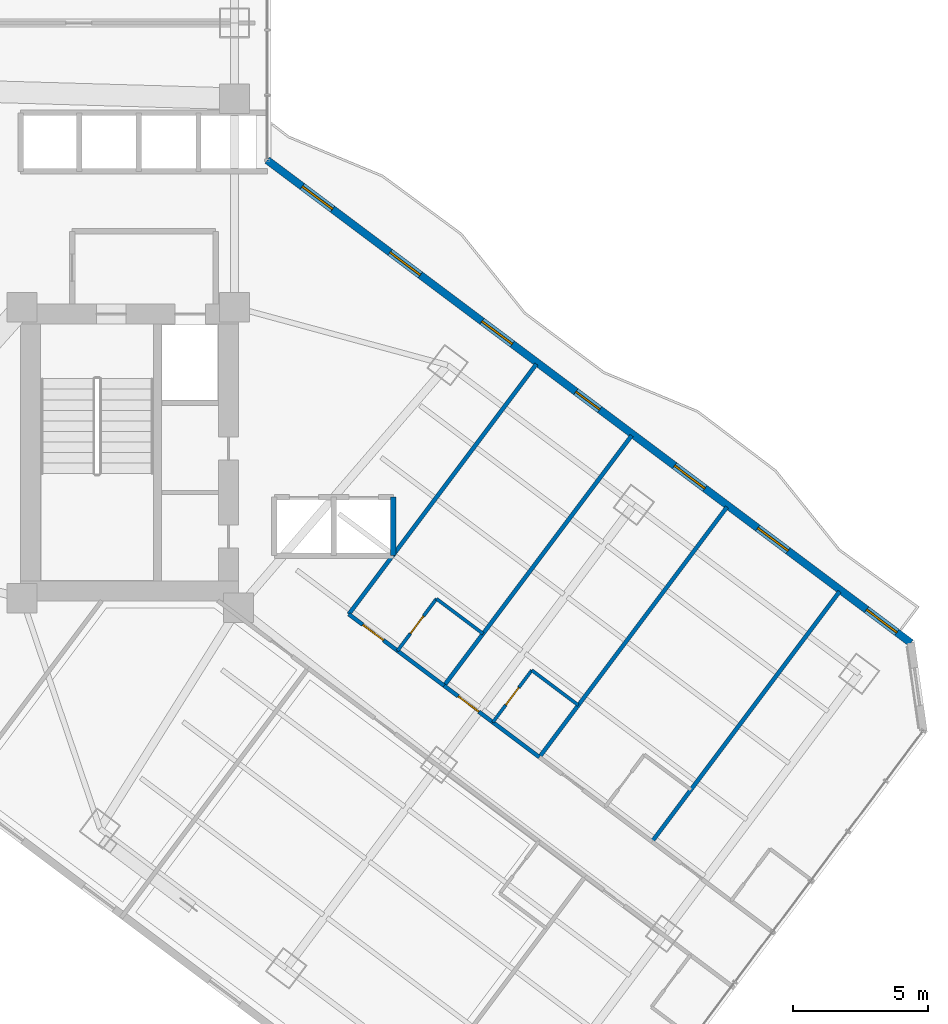
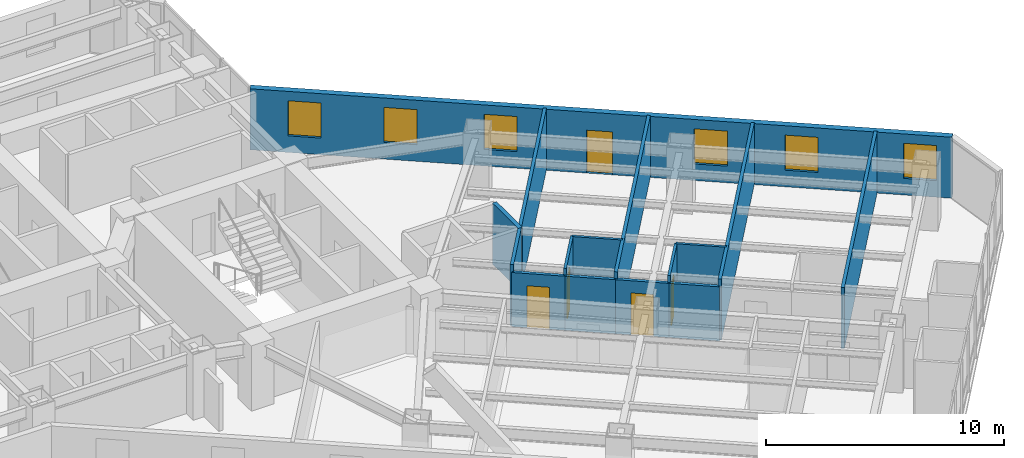
# One storey, part 24 of 32: 14 walls, 6 windows, 5 doors, 11 openings.
"""IFC4 building model written with IfcOpenShell, lengths in metres."""

from ifc_helpers import new_model, si_unit, direction, frame, frame_2d, origin, place, context, subcontext, project, spatial, rectangle, extrude, material, layer, layer_set, type_object, element, fill, save


model = new_model("IFC4")

# Units and contexts
model_context = context("Model", 3, precision=1e-05, world=origin(), true_north=direction((0.0, 1.0)))
body_context = subcontext(model_context, "Body", "Model", "MODEL_VIEW")
ifc_project = project(units=[si_unit("LENGTHUNIT", "METRE"), si_unit("AREAUNIT", "SQUARE_METRE"), si_unit("VOLUMEUNIT", "CUBIC_METRE"), si_unit("PLANEANGLEUNIT", "RADIAN"), si_unit("MASSUNIT", "GRAM", prefix="KILO")], contexts=[model_context])

# Site, building, storey
site_placement = place(None, origin())
site = spatial("IfcSite", under=ifc_project, at=site_placement, CompositionType="ELEMENT")
building_placement = place(site_placement, origin())
building = spatial("IfcBuilding", under=site, at=building_placement, Name="Hatsunagi Terrace Concourse", CompositionType="ELEMENT")
storey_placement = place(building_placement, frame((0.0, 0.0, 46.64990234375)))
storey = spatial("IfcBuildingStorey", under=building, at=storey_placement, Name="L11", CompositionType="ELEMENT", Elevation=46.64990234375)

# Wall, opening, door
ifc_material_1 = material(Name="Acoustic mineral board", Category="gypsum")
ifc_layer_1 = layer(ifc_material_1, 0.1201171875)
ifc_layer_set_1 = layer_set([ifc_layer_1], Name="PartitionWall_EI30_120")
wall_type_1 = type_object("IfcWallType", Name="PartitionWall_EI30_120", PredefinedType="PARTITIONING", material=ifc_layer_set_1)
wall_1_placement = place(storey_placement, frame((49.669921875, 22.610107421875, 0.0), z_axis=(0.0, 0.0, 1.0), x_axis=(0.600065100855, 0.79995117022, 0.0)))
wall_1 = element("IfcWall", 1, at=wall_1_placement, inside=storey, type_object=wall_type_1, Name="Interior Partition IW-L11-083", PredefinedType="PARTITIONING", context=body_context, shape_type="SweptSolid", body=[
    extrude(rectangle(XDim=2.400146484375, YDim=0.1201171875, at=frame_2d((1.2001953125, 0.0))), origin(), (0.0, 0.0, 1.0), 3.130126953125),
])
opening_1_placement = place(wall_1_placement, frame((0.800048828125, 0.0, 0.0)))
opening_1 = element("IfcOpeningElement", 2, at=opening_1_placement, cuts=wall_1, Name="Opening DR-080", PredefinedType="OPENING", context=body_context, shape_type="SweptSolid", body=[
    extrude(rectangle(XDim=0.800048828125, YDim=2.06005859375, at=frame_2d((0.39990234375, 1.030029296875))), frame((0.0, 0.070068359375, 0.0), z_axis=(0.0, -1.0, 0.0), x_axis=(1.0, 0.0, 0.0)), (0.0, 0.0, 1.0), 0.14013671875),
])
ifc_material_2 = material(Name="Hardwood timber", Category="wood")
door_type_1 = type_object("IfcDoorType", Name="BathroomDoor_800", OperationType="NOTDEFINED", PredefinedType="DOOR", material=ifc_material_2)
door_1_placement = place(opening_1_placement, origin())
door_1 = element("IfcDoor", 3, at=door_1_placement, inside=storey, type_object=door_type_1, Name="En-Suite Bathroom L11-SENE1 Door", OperationType="SINGLE_SWING_LEFT", OverallHeight=2.06005859375, OverallWidth=0.800048828125, PredefinedType="DOOR", context=body_context, shape_type="SweptSolid", body=[
    extrude(rectangle(XDim=0.800048828125, YDim=2.06005859375, at=frame_2d((0.39990234375, 1.030029296875))), frame((0.0, 0.02490234375, 0.0), z_axis=(0.0, -1.0, 0.0), x_axis=(1.0, 0.0, 0.0)), (0.0, 0.0, 1.0), 0.050048828125),
])
fill(opening_1, door_1)

# Wall
wall_2_placement = place(storey_placement, frame((51.110107421875, 24.530029296875, 0.0), z_axis=(0.0, 0.0, 1.0), x_axis=(0.79998637334, -0.60001816845, 0.0)))
element("IfcWall", 4, at=wall_2_placement, inside=storey, type_object=wall_type_1, Name="Interior Partition IW-L11-084", PredefinedType="PARTITIONING", context=body_context, shape_type="SweptSolid", body=[
    extrude(rectangle(XDim=2.14990234375, YDim=0.1201171875, at=frame_2d((1.074951171875, 0.0))), origin(), (0.0, 0.0, 1.0), 3.130126953125),
])

# Wall, opening, door
wall_3_placement = place(storey_placement, frame((53.18994140625, 19.969970703125, 0.0), z_axis=(0.0, 0.0, 1.0), x_axis=(0.6, 0.8, 0.0)))
wall_3 = element("IfcWall", 5, at=wall_3_placement, inside=storey, type_object=wall_type_1, Name="Interior Partition IW-L11-089", PredefinedType="PARTITIONING", context=body_context, shape_type="SweptSolid", body=[
    extrude(rectangle(XDim=2.39990234375, YDim=0.1201171875, at=frame_2d((1.199951171875, 0.0))), origin(), (0.0, 0.0, 1.0), 3.130126953125),
])
opening_2_placement = place(wall_3_placement, frame((0.800048828125, 0.0, 0.0)))
opening_2 = element("IfcOpeningElement", 6, at=opening_2_placement, cuts=wall_3, Name="Opening DR-080", PredefinedType="OPENING", context=body_context, shape_type="SweptSolid", body=[
    extrude(rectangle(XDim=0.800048828125, YDim=2.06005859375, at=frame_2d((0.39990234375, 1.030029296875))), frame((0.0, 0.070068359375, 0.0), z_axis=(0.0, -1.0, 0.0), x_axis=(1.0, 0.0, 0.0)), (0.0, 0.0, 1.0), 0.14013671875),
])
door_2_placement = place(opening_2_placement, origin())
door_2 = element("IfcDoor", 7, at=door_2_placement, inside=storey, type_object=door_type_1, Name="En-Suite Bathroom L11-SENE2 Door", OperationType="SINGLE_SWING_RIGHT", OverallHeight=2.06005859375, OverallWidth=0.800048828125, PredefinedType="DOOR", context=body_context, shape_type="SweptSolid", body=[
    extrude(rectangle(XDim=0.800048828125, YDim=2.06005859375, at=frame_2d((0.39990234375, 1.030029296875))), frame((0.0, 0.02490234375, 0.0), z_axis=(0.0, -1.0, 0.0), x_axis=(1.0, 0.0, 0.0)), (0.0, 0.0, 1.0), 0.050048828125),
])
fill(opening_2, door_2)

# Wall
wall_4_placement = place(storey_placement, frame((54.6298828125, 21.889892578125, 0.0), z_axis=(0.0, 0.0, 1.0), x_axis=(0.800081749437, -0.599890985279, 0.0)))
element("IfcWall", 8, at=wall_4_placement, inside=storey, type_object=wall_type_1, Name="Interior Partition IW-L11-090", PredefinedType="PARTITIONING", context=body_context, shape_type="SweptSolid", body=[
    extrude(rectangle(XDim=2.150146484375, YDim=0.1201171875, at=frame_2d((1.0751953125, 0.0))), origin(), (0.0, 0.0, 1.0), 3.130126953125),
])

# Wall, opening, door
ifc_material_3 = material(Name="Acoustic mineral board", Category="gypsum")
ifc_layer_2 = layer(ifc_material_3, 0.14990234375)
ifc_layer_set_2 = layer_set([ifc_layer_2], Name="PartitionWall_EI60_150")
wall_type_2 = type_object("IfcWallType", Name="PartitionWall_EI60_150", PredefinedType="PARTITIONING", material=ifc_layer_set_2)
wall_5_placement = place(storey_placement, frame((47.8701171875, 23.9599609375, 0.0), z_axis=(0.0, 0.0, 1.0), x_axis=(0.8, -0.6, 0.0)))
wall_5 = element("IfcWall", 9, at=wall_5_placement, inside=storey, type_object=wall_type_2, Name="Interior Partition IW-L11-081", PredefinedType="PARTITIONING", context=body_context, shape_type="SweptSolid", body=[
    extrude(rectangle(XDim=2.249755859375, YDim=0.14990234375, at=frame_2d((1.125, 0.0))), origin(), (0.0, 0.0, 1.0), 2.775146484375),
])
opening_3_placement = place(wall_5_placement, frame((0.64990234375, 0.0, 0.0)))
opening_3 = element("IfcOpeningElement", 10, at=opening_3_placement, cuts=wall_5, Name="Opening DR-095", PredefinedType="OPENING", context=body_context, shape_type="SweptSolid", body=[
    extrude(rectangle(XDim=0.949951171875, YDim=2.14990234375, at=frame_2d((0.47509765625, 1.074951171875))), frame((0.0, 0.0849609375, 0.0), z_axis=(0.0, -1.0, 0.0), x_axis=(1.0, 0.0, 0.0)), (0.0, 0.0, 1.0), 0.169921875),
])
ifc_material_4 = material(Name="Hardwood timber", Category="wood")
door_type_2 = type_object("IfcDoorType", Name="InteriorSuiteDoor_EI30_950", OperationType="NOTDEFINED", PredefinedType="DOOR", material=ifc_material_4)
door_3_placement = place(opening_3_placement, origin())
door_3 = element("IfcDoor", 11, at=door_3_placement, inside=storey, type_object=door_type_2, Name="Hotel Guest Room L11-SENE1 Door", OperationType="SINGLE_SWING_LEFT", OverallHeight=2.14990234375, OverallWidth=0.949951171875, PredefinedType="DOOR", context=body_context, shape_type="SweptSolid", body=[
    extrude(rectangle(XDim=0.949951171875, YDim=2.14990234375, at=frame_2d((0.47509765625, 1.074951171875))), frame((0.0, 0.02490234375, 0.0), z_axis=(0.0, -1.0, 0.0), x_axis=(1.0, 0.0, 0.0)), (0.0, 0.0, 1.0), 0.050048828125),
])
fill(opening_3, door_3)

# Walls
wall_6_placement = place(storey_placement, frame((49.669921875, 22.610107421875, 0.0), z_axis=(0.0, 0.0, 1.0), x_axis=(0.79998637334, -0.60001816845, 0.0)))
element("IfcWall", 12, at=wall_6_placement, inside=storey, type_object=wall_type_2, Name="Interior Partition IW-L11-082", PredefinedType="PARTITIONING", context=body_context, shape_type="SweptSolid", body=[
    extrude(rectangle(XDim=2.14990234375, YDim=0.14990234375, at=frame_2d((1.074951171875, 0.0))), origin(), (0.0, 0.0, 1.0), 2.775146484375),
])
for number, where, z_axis, x_axis, name in (
    (13, (47.8701171875, 23.9599609375, 0.0), (0.0, 0.0, 1.0), (0.599996617946, 0.80000253653, 0.0), "Interior Partition IW-L11-085"),
    (14, (51.389892578125, 21.320068359375, 0.0), (0.0, 0.0, 1.0), (0.60001014597, 0.799992390422, 0.0), "Interior Partition IW-L11-086"),
):
    element("IfcWall", number, at=place(storey_placement, frame(where, z_axis=z_axis, x_axis=x_axis)), inside=storey, type_object=wall_type_2, Name=name, PredefinedType="PARTITIONING", context=body_context, shape_type="SweptSolid", body=[
        extrude(rectangle(XDim=11.550048828125, YDim=0.14990234375, at=frame_2d((5.77490234375, 0.0))), origin(), (0.0, 0.0, 1.0), 3.130126953125),
    ])

# Wall, opening, door
wall_7_placement = place(storey_placement, frame((51.389892578125, 21.320068359375, 0.0), z_axis=(0.0, 0.0, 1.0), x_axis=(0.799986979543, -0.600017360216, 0.0)))
wall_7 = element("IfcWall", 15, at=wall_7_placement, inside=storey, type_object=wall_type_2, Name="Interior Partition IW-L11-087", PredefinedType="PARTITIONING", context=body_context, shape_type="SweptSolid", body=[
    extrude(rectangle(XDim=2.25, YDim=0.14990234375, at=frame_2d((1.125, 0.0))), origin(), (0.0, 0.0, 1.0), 2.775146484375),
])
opening_4_placement = place(wall_7_placement, frame((0.64990234375, 0.0, 0.0)))
opening_4 = element("IfcOpeningElement", 16, at=opening_4_placement, cuts=wall_7, Name="Opening DR-095", PredefinedType="OPENING", context=body_context, shape_type="SweptSolid", body=[
    extrude(rectangle(XDim=0.949951171875, YDim=2.14990234375, at=frame_2d((0.47509765625, 1.074951171875))), frame((0.0, 0.0849609375, 0.0), z_axis=(0.0, -1.0, 0.0), x_axis=(1.0, 0.0, 0.0)), (0.0, 0.0, 1.0), 0.169921875),
])
door_4_placement = place(opening_4_placement, origin())
door_4 = element("IfcDoor", 17, at=door_4_placement, inside=storey, type_object=door_type_2, Name="Hotel Guest Room L11-SENE2 Door", OperationType="SINGLE_SWING_LEFT", OverallHeight=2.14990234375, OverallWidth=0.949951171875, PredefinedType="DOOR", context=body_context, shape_type="SweptSolid", body=[
    extrude(rectangle(XDim=0.949951171875, YDim=2.14990234375, at=frame_2d((0.47509765625, 1.074951171875))), frame((0.0, 0.02490234375, 0.0), z_axis=(0.0, -1.0, 0.0), x_axis=(1.0, 0.0, 0.0)), (0.0, 0.0, 1.0), 0.050048828125),
])
fill(opening_4, door_4)

# Walls
wall_8_placement = place(storey_placement, frame((53.18994140625, 19.969970703125, 0.0), z_axis=(0.0, 0.0, 1.0), x_axis=(0.79998637334, -0.60001816845, 0.0)))
element("IfcWall", 18, at=wall_8_placement, inside=storey, type_object=wall_type_2, Name="Interior Partition IW-L11-088", PredefinedType="PARTITIONING", context=body_context, shape_type="SweptSolid", body=[
    extrude(rectangle(XDim=2.14990234375, YDim=0.14990234375, at=frame_2d((1.074951171875, 0.0))), origin(), (0.0, 0.0, 1.0), 2.775146484375),
])
for number, where, z_axis, x_axis, name in (
    (19, (54.909912109375, 18.679931640625, 0.0), (0.0, 0.0, 1.0), (0.60001014597, 0.799992390422, 0.0), "Interior Partition IW-L11-091"),
    (20, (59.070068359375, 15.56005859375, 0.0), (0.0, 0.0, 1.0), (0.599996617946, 0.80000253653, 0.0), "Interior Partition IW-L11-096"),
):
    element("IfcWall", number, at=place(storey_placement, frame(where, z_axis=z_axis, x_axis=x_axis)), inside=storey, type_object=wall_type_2, Name=name, PredefinedType="PARTITIONING", context=body_context, shape_type="SweptSolid", body=[
        extrude(rectangle(XDim=11.550048828125, YDim=0.14990234375, at=frame_2d((5.77490234375, 0.0))), origin(), (0.0, 0.0, 1.0), 3.130126953125),
    ])
ifc_material_5 = material(Name="Acoustic mineral board", Category="gypsum")
ifc_layer_3 = layer(ifc_material_5, 0.199951171875)
ifc_layer_set_3 = layer_set([ifc_layer_3], Name="ShaftWall_EI120_200")
wall_type_3 = type_object("IfcWallType", Name="ShaftWall_EI120_200", PredefinedType="STANDARD", material=ifc_layer_set_3)
wall_9_placement = place(storey_placement, frame((49.52001953125, 26.1201171875, 0.0), z_axis=(0.0, 0.0, 1.0), x_axis=(0.0, 1.0, 0.0)))
element("IfcWall", 21, at=wall_9_placement, inside=storey, type_object=wall_type_3, Name="Interior Partition IW-L11-026", PredefinedType="STANDARD", context=body_context, shape_type="SweptSolid", body=[
    extrude(rectangle(XDim=2.159912109375, YDim=0.199951171875, at=frame_2d((1.080078125, 0.0))), origin(), (0.0, 0.0, 1.0), 3.130126953125),
])

# Wall, openings, door, windows
ifc_material_6 = material(Name="Autoclaved Lightweight Concrete and Terracotta Cladding", Category="masonry")
ifc_layer_4 = layer(ifc_material_6, 0.280029296875)
ifc_layer_set_4 = layer_set([ifc_layer_4], Name="TerracottaSpandrelWall_280")
wall_type_4 = type_object("IfcWallType", Name="TerracottaSpandrelWall_280", PredefinedType="STANDARD", material=ifc_layer_set_4)
wall_10_placement = place(storey_placement, frame((44.860107421875, 40.72998046875, 0.0), z_axis=(0.0, 0.0, 1.0), x_axis=(0.800006902154, -0.599990797017, 0.0)))
wall_10 = element("IfcWall", 22, at=wall_10_placement, inside=storey, type_object=wall_type_4, Name="Exterior Spandrel Wall EW-L11-01", PredefinedType="STANDARD", context=body_context, shape_type="SweptSolid", body=[
    extrude(rectangle(XDim=29.7119140625, YDim=0.280029296875, at=frame_2d((14.85595703125, 0.0))), origin(), (0.0, 0.0, 1.0), 3.130126953125),
])
opening_5_placement = place(wall_10_placement, frame((14.2490234375, 0.0, 0.0)))
opening_5 = element("IfcOpeningElement", 23, at=opening_5_placement, cuts=wall_10, Name="Opening BD-01", PredefinedType="OPENING", context=body_context, shape_type="SweptSolid", body=[
    extrude(rectangle(XDim=1.10009765625, YDim=2.199951171875, at=frame_2d((0.550048828125, 1.10009765625))), frame((0.0, 0.14990234375, 0.0), z_axis=(0.0, -1.0, 0.0), x_axis=(1.0, 0.0, 0.0)), (0.0, 0.0, 1.0), 0.300048828125),
])
opening_6_placement = place(wall_10_placement, frame((1.612060546875, 0.0, 0.85009765625)))
opening_6 = element("IfcOpeningElement", 24, at=opening_6_placement, cuts=wall_10, Name="Opening WIN-02", PredefinedType="OPENING", context=body_context, shape_type="SweptSolid", body=[
    extrude(rectangle(XDim=1.39990234375, YDim=1.800048828125, at=frame_2d((0.699951171875, 0.89990234375))), frame((0.0, 0.14990234375, 0.0), z_axis=(0.0, -1.0, 0.0), x_axis=(1.0, 0.0, 0.0)), (0.0, 0.0, 1.0), 0.300048828125),
])
opening_7_placement = place(wall_10_placement, frame((5.6669921875, 0.0, 0.85009765625)))
opening_7 = element("IfcOpeningElement", 25, at=opening_7_placement, cuts=wall_10, Name="Opening WIN-02", PredefinedType="OPENING", context=body_context, shape_type="SweptSolid", body=[
    extrude(rectangle(XDim=1.39990234375, YDim=1.800048828125, at=frame_2d((0.699951171875, 0.89990234375))), frame((0.0, 0.14990234375, 0.0), z_axis=(0.0, -1.0, 0.0), x_axis=(1.0, 0.0, 0.0)), (0.0, 0.0, 1.0), 0.300048828125),
])
opening_8_placement = place(wall_10_placement, frame((9.912109375, 0.0, 0.85009765625)))
opening_8 = element("IfcOpeningElement", 26, at=opening_8_placement, cuts=wall_10, Name="Opening WIN-02", PredefinedType="OPENING", context=body_context, shape_type="SweptSolid", body=[
    extrude(rectangle(XDim=1.39990234375, YDim=1.800048828125, at=frame_2d((0.699951171875, 0.89990234375))), frame((0.0, 0.14990234375, 0.0), z_axis=(0.0, -1.0, 0.0), x_axis=(1.0, 0.0, 0.0)), (0.0, 0.0, 1.0), 0.300048828125),
])
opening_9_placement = place(wall_10_placement, frame((18.802978515625, 0.0, 0.85009765625)))
opening_9 = element("IfcOpeningElement", 27, at=opening_9_placement, cuts=wall_10, Name="Opening WIN-02", PredefinedType="OPENING", context=body_context, shape_type="SweptSolid", body=[
    extrude(rectangle(XDim=1.39990234375, YDim=1.800048828125, at=frame_2d((0.699951171875, 0.89990234375))), frame((0.0, 0.14990234375, 0.0), z_axis=(0.0, -1.0, 0.0), x_axis=(1.0, 0.0, 0.0)), (0.0, 0.0, 1.0), 0.300048828125),
])
opening_10_placement = place(wall_10_placement, frame((22.64501953125, 0.0, 0.85009765625)))
opening_10 = element("IfcOpeningElement", 28, at=opening_10_placement, cuts=wall_10, Name="Opening WIN-02", PredefinedType="OPENING", context=body_context, shape_type="SweptSolid", body=[
    extrude(rectangle(XDim=1.39990234375, YDim=1.800048828125, at=frame_2d((0.699951171875, 0.89990234375))), frame((0.0, 0.14990234375, 0.0), z_axis=(0.0, -1.0, 0.0), x_axis=(1.0, 0.0, 0.0)), (0.0, 0.0, 1.0), 0.300048828125),
])
opening_11_placement = place(wall_10_placement, frame((27.66796875, 0.0, 0.85009765625)))
opening_11 = element("IfcOpeningElement", 29, at=opening_11_placement, cuts=wall_10, Name="Opening WIN-02", PredefinedType="OPENING", context=body_context, shape_type="SweptSolid", body=[
    extrude(rectangle(XDim=1.39990234375, YDim=1.800048828125, at=frame_2d((0.699951171875, 0.89990234375))), frame((0.0, 0.14990234375, 0.0), z_axis=(0.0, -1.0, 0.0), x_axis=(1.0, 0.0, 0.0)), (0.0, 0.0, 1.0), 0.300048828125),
])
ifc_material_7 = material(Name="Galvanised Steel and Laminated Safety Glass", Category="steel")
door_type_3 = type_object("IfcDoorType", Name="BalconyTerraceAccessDoor_1100x2200", OperationType="SINGLE_SWING_LEFT", PredefinedType="DOOR", material=ifc_material_7)
door_5_placement = place(opening_5_placement, origin())
door_5 = element("IfcDoor", 30, at=door_5_placement, inside=storey, type_object=door_type_3, Name="Engawa Balcony Door L11-BSE", OperationType="SINGLE_SWING_LEFT", OverallHeight=2.199951171875, OverallWidth=1.10009765625, PredefinedType="DOOR", context=body_context, shape_type="SweptSolid", body=[
    extrude(rectangle(XDim=1.10009765625, YDim=2.199951171875, at=frame_2d((0.550048828125, 1.10009765625))), frame((0.0, 0.02490234375, 0.0), z_axis=(0.0, -1.0, 0.0), x_axis=(1.0, 0.0, 0.0)), (0.0, 0.0, 1.0), 0.050048828125),
])
fill(opening_5, door_5)
ifc_material_8 = material(Name="Thermally Broken Aluminium and Low-E Triple Glazing", Category="aluminium")
window_type = type_object("IfcWindowType", Name="HotelOperableVentWindow_1400x1800", PartitioningType="DOUBLE_PANEL_VERTICAL", PredefinedType="WINDOW", material=ifc_material_8)
window_1_placement = place(opening_6_placement, origin())
window_1 = element("IfcWindow", 31, at=window_1_placement, inside=storey, type_object=window_type, Name="Balcony Daylighting Window L11-01-1", OverallHeight=1.800048828125, OverallWidth=1.39990234375, PartitioningType="SINGLE_PANEL", PredefinedType="WINDOW", context=body_context, shape_type="SweptSolid", body=[
    extrude(rectangle(XDim=1.39990234375, YDim=1.800048828125, at=frame_2d((0.699951171875, 0.89990234375))), frame((0.0, 0.030029296875, 0.0), z_axis=(0.0, -1.0, 0.0), x_axis=(1.0, 0.0, 0.0)), (0.0, 0.0, 1.0), 0.06005859375),
])
fill(opening_6, window_1)
window_2_placement = place(opening_7_placement, origin())
window_2 = element("IfcWindow", 32, at=window_2_placement, inside=storey, type_object=window_type, Name="Balcony Daylighting Window L11-01-2", OverallHeight=1.800048828125, OverallWidth=1.39990234375, PartitioningType="SINGLE_PANEL", PredefinedType="WINDOW", context=body_context, shape_type="SweptSolid", body=[
    extrude(rectangle(XDim=1.39990234375, YDim=1.800048828125, at=frame_2d((0.699951171875, 0.89990234375))), frame((0.0, 0.030029296875, 0.0), z_axis=(0.0, -1.0, 0.0), x_axis=(1.0, 0.0, 0.0)), (0.0, 0.0, 1.0), 0.06005859375),
])
fill(opening_7, window_2)
window_3_placement = place(opening_8_placement, origin())
window_3 = element("IfcWindow", 33, at=window_3_placement, inside=storey, type_object=window_type, Name="Balcony Daylighting Window L11-01-3", OverallHeight=1.800048828125, OverallWidth=1.39990234375, PartitioningType="SINGLE_PANEL", PredefinedType="WINDOW", context=body_context, shape_type="SweptSolid", body=[
    extrude(rectangle(XDim=1.39990234375, YDim=1.800048828125, at=frame_2d((0.699951171875, 0.89990234375))), frame((0.0, 0.030029296875, 0.0), z_axis=(0.0, -1.0, 0.0), x_axis=(1.0, 0.0, 0.0)), (0.0, 0.0, 1.0), 0.06005859375),
])
fill(opening_8, window_3)
window_4_placement = place(opening_9_placement, origin())
window_4 = element("IfcWindow", 34, at=window_4_placement, inside=storey, type_object=window_type, Name="Balcony Daylighting Window L11-01-5", OverallHeight=1.800048828125, OverallWidth=1.39990234375, PartitioningType="SINGLE_PANEL", PredefinedType="WINDOW", context=body_context, shape_type="SweptSolid", body=[
    extrude(rectangle(XDim=1.39990234375, YDim=1.800048828125, at=frame_2d((0.699951171875, 0.89990234375))), frame((0.0, 0.030029296875, 0.0), z_axis=(0.0, -1.0, 0.0), x_axis=(1.0, 0.0, 0.0)), (0.0, 0.0, 1.0), 0.06005859375),
])
fill(opening_9, window_4)
window_5_placement = place(opening_10_placement, origin())
window_5 = element("IfcWindow", 35, at=window_5_placement, inside=storey, type_object=window_type, Name="Balcony Daylighting Window L11-01-6", OverallHeight=1.800048828125, OverallWidth=1.39990234375, PartitioningType="SINGLE_PANEL", PredefinedType="WINDOW", context=body_context, shape_type="SweptSolid", body=[
    extrude(rectangle(XDim=1.39990234375, YDim=1.800048828125, at=frame_2d((0.699951171875, 0.89990234375))), frame((0.0, 0.030029296875, 0.0), z_axis=(0.0, -1.0, 0.0), x_axis=(1.0, 0.0, 0.0)), (0.0, 0.0, 1.0), 0.06005859375),
])
fill(opening_10, window_5)
window_6_placement = place(opening_11_placement, origin())
window_6 = element("IfcWindow", 36, at=window_6_placement, inside=storey, type_object=window_type, Name="Balcony Daylighting Window L11-01-7", OverallHeight=1.800048828125, OverallWidth=1.39990234375, PartitioningType="SINGLE_PANEL", PredefinedType="WINDOW", context=body_context, shape_type="SweptSolid", body=[
    extrude(rectangle(XDim=1.39990234375, YDim=1.800048828125, at=frame_2d((0.699951171875, 0.89990234375))), frame((0.0, 0.030029296875, 0.0), z_axis=(0.0, -1.0, 0.0), x_axis=(1.0, 0.0, 0.0)), (0.0, 0.0, 1.0), 0.06005859375),
])
fill(opening_11, window_6)

save(model, "model.ifc")
